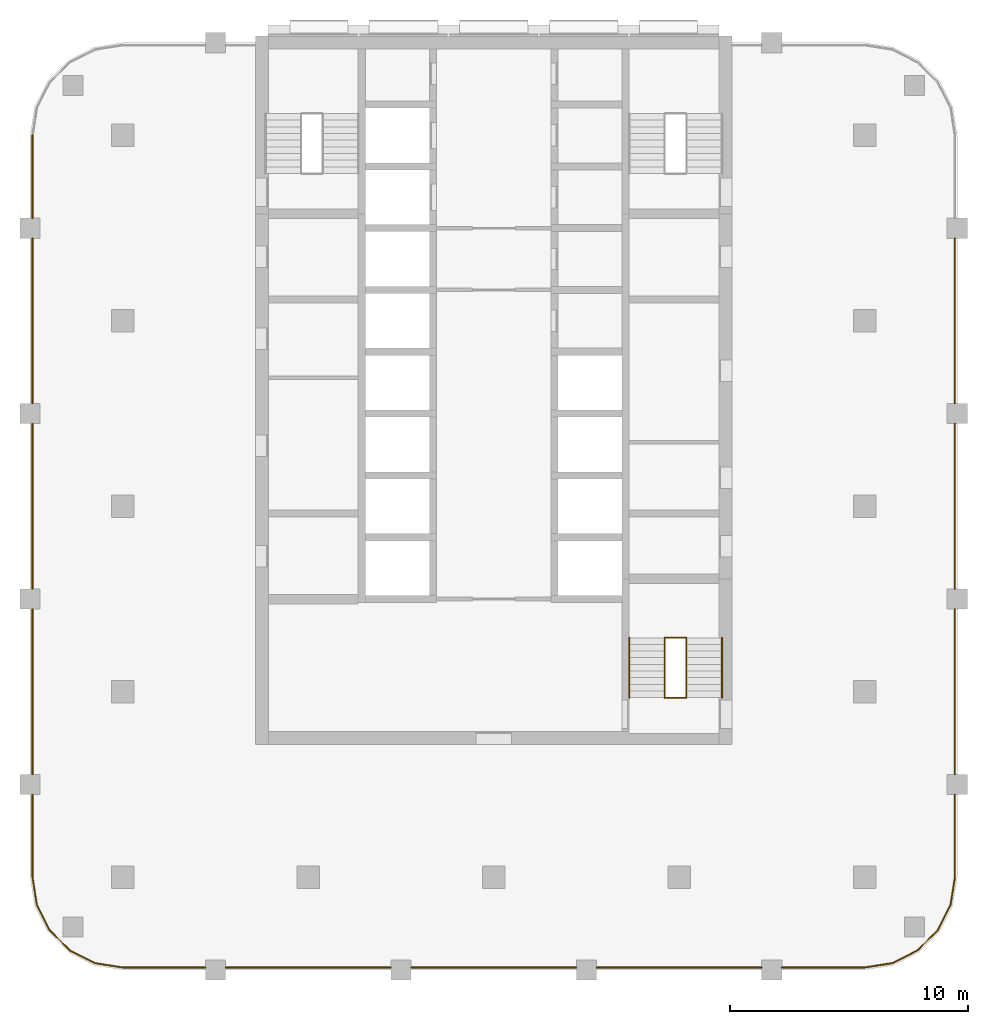
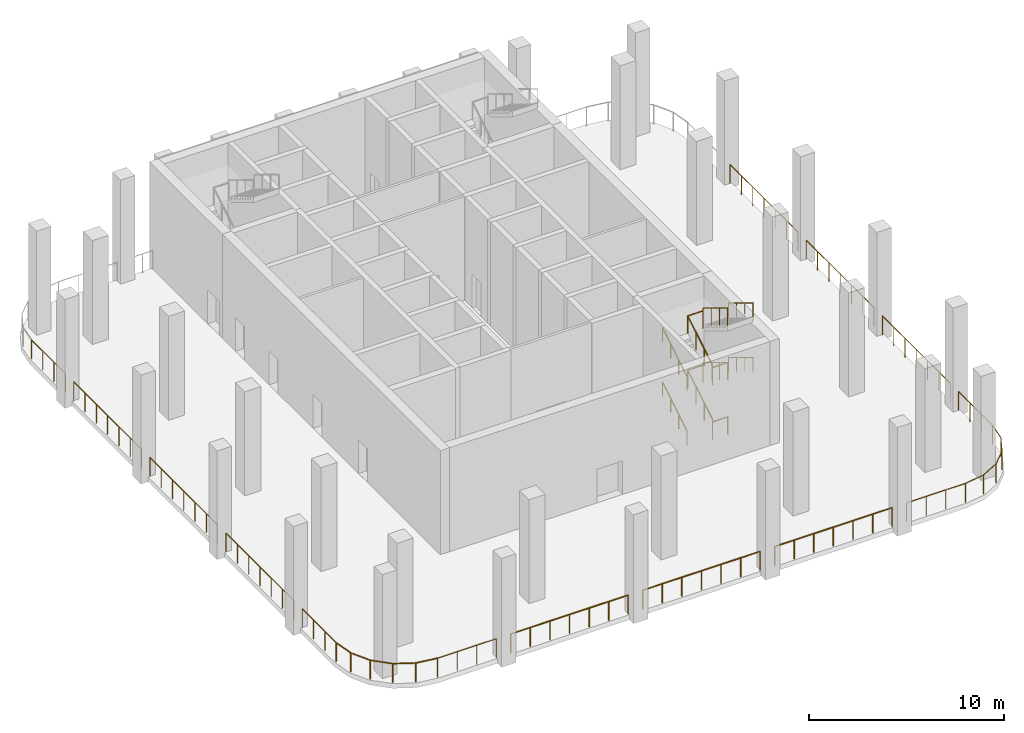
# One storey, part 8 of 10: 28 railings, 1 element without a shape of its own.
"""IFC4 building model written with IfcOpenShell, lengths in metres."""

from ifc_helpers import new_model, si_unit, direction, frame, origin, origin_2d, place, context, subcontext, project, spatial, circle, extrude, material, type_object, element, aggregate, save


model = new_model("IFC4")

# Units and contexts
model_context = context("Model", 3, precision=1e-05, world=origin(), true_north=direction((0.0, 1.0)))
body_context = subcontext(model_context, "Body", "Model", "MODEL_VIEW")
ifc_project = project(units=[si_unit("LENGTHUNIT", "METRE"), si_unit("AREAUNIT", "SQUARE_METRE"), si_unit("VOLUMEUNIT", "CUBIC_METRE"), si_unit("PLANEANGLEUNIT", "RADIAN"), si_unit("MASSUNIT", "GRAM", prefix="KILO")], contexts=[model_context])

# Site, building, storey
site_placement = place(None, origin())
site = spatial("IfcSite", under=ifc_project, at=site_placement, CompositionType="ELEMENT")
building_placement = place(site_placement, origin())
building = spatial("IfcBuilding", under=site, at=building_placement, Name="Ludao Terraces", CompositionType="ELEMENT")
storey_placement = place(building_placement, frame((0.0, 0.0, 116.89990234375)))
storey = spatial("IfcBuildingStorey", under=building, at=storey_placement, Name="L32", CompositionType="ELEMENT", Elevation=116.89990234375)

# Railings
ifc_material_1 = material(Name="Steel Q235", Category="steel")
railing_type_1 = type_object("IfcRailingType", Name="ENV Open-edge guard 1200", PredefinedType="GUARDRAIL", material=ifc_material_1)
railing_1_placement = place(storey_placement, frame((69.39990234375, 45.60009765625, 0.0)))
element("IfcRailing", 1, at=railing_1_placement, inside=storey, type_object=railing_type_1, Name="Guard L32 S1", PredefinedType="GUARDRAIL", context=body_context, shape_type="SweptSolid", body=[
    extrude(circle(Radius=0.02392578125, at=origin_2d()), frame((0.0, 0.0, 1.17578125), z_axis=(1.0, 0.0, 0.0), x_axis=(0.0, 1.0, 0.0)), (0.0, 0.0, 1.0), 3.47509765625),
    extrude(circle(Radius=0.02099609375, at=origin_2d()), origin(), (0.0, 0.0, 1.0), 1.15185546875),
    extrude(circle(Radius=0.02099609375, at=origin_2d()), frame((1.158447265625, 0.0, 0.0)), (0.0, 0.0, 1.0), 1.15185546875),
    extrude(circle(Radius=0.02099609375, at=origin_2d()), frame((2.316650390625, 0.0, 0.0)), (0.0, 0.0, 1.0), 1.15185546875),
    extrude(circle(Radius=0.02099609375, at=origin_2d()), frame((3.47509765625, 0.0, 0.0)), (0.0, 0.0, 1.0), 1.15185546875),
])
railing_2_placement = place(storey_placement, frame((73.72509765625, 45.60009765625, 0.0)))
element("IfcRailing", 2, at=railing_2_placement, inside=storey, type_object=railing_type_1, Name="Guard L32 S2", PredefinedType="GUARDRAIL", context=body_context, shape_type="SweptSolid", body=[
    extrude(circle(Radius=0.02392578125, at=origin_2d()), frame((0.0, 0.0, 1.17578125), z_axis=(1.0, 0.0, 0.0), x_axis=(0.0, 1.0, 0.0)), (0.0, 0.0, 1.0), 6.949951171875),
    extrude(circle(Radius=0.02099609375, at=origin_2d()), origin(), (0.0, 0.0, 1.0), 1.15185546875),
    extrude(circle(Radius=0.02099609375, at=origin_2d()), frame((1.158203125, 0.0, 0.0)), (0.0, 0.0, 1.0), 1.15185546875),
    extrude(circle(Radius=0.02099609375, at=origin_2d()), frame((2.316650390625, 0.0, 0.0)), (0.0, 0.0, 1.0), 1.15185546875),
    extrude(circle(Radius=0.02099609375, at=origin_2d()), frame((3.47509765625, 0.0, 0.0)), (0.0, 0.0, 1.0), 1.15185546875),
    extrude(circle(Radius=0.02099609375, at=origin_2d()), frame((4.63330078125, 0.0, 0.0)), (0.0, 0.0, 1.0), 1.15185546875),
    extrude(circle(Radius=0.02099609375, at=origin_2d()), frame((5.79150390625, 0.0, 0.0)), (0.0, 0.0, 1.0), 1.15185546875),
    extrude(circle(Radius=0.02099609375, at=origin_2d()), frame((6.949951171875, 0.0, 0.0)), (0.0, 0.0, 1.0), 1.15185546875),
])
railing_3_placement = place(storey_placement, frame((81.52490234375, 45.60009765625, 0.0)))
element("IfcRailing", 3, at=railing_3_placement, inside=storey, type_object=railing_type_1, Name="Guard L32 S3", PredefinedType="GUARDRAIL", context=body_context, shape_type="SweptSolid", body=[
    extrude(circle(Radius=0.02392578125, at=origin_2d()), frame((0.0, 0.0, 1.17578125), z_axis=(1.0, 0.0, 0.0), x_axis=(0.0, 1.0, 0.0)), (0.0, 0.0, 1.0), 6.9501953125),
    extrude(circle(Radius=0.02099609375, at=origin_2d()), origin(), (0.0, 0.0, 1.0), 1.15185546875),
    extrude(circle(Radius=0.02099609375, at=origin_2d()), frame((1.158447265625, 0.0, 0.0)), (0.0, 0.0, 1.0), 1.15185546875),
    extrude(circle(Radius=0.02099609375, at=origin_2d()), frame((2.316650390625, 0.0, 0.0)), (0.0, 0.0, 1.0), 1.15185546875),
    extrude(circle(Radius=0.02099609375, at=origin_2d()), frame((3.47509765625, 0.0, 0.0)), (0.0, 0.0, 1.0), 1.15185546875),
    extrude(circle(Radius=0.02099609375, at=origin_2d()), frame((4.633544921875, 0.0, 0.0)), (0.0, 0.0, 1.0), 1.15185546875),
    extrude(circle(Radius=0.02099609375, at=origin_2d()), frame((5.791748046875, 0.0, 0.0)), (0.0, 0.0, 1.0), 1.15185546875),
    extrude(circle(Radius=0.02099609375, at=origin_2d()), frame((6.9501953125, 0.0, 0.0)), (0.0, 0.0, 1.0), 1.15185546875),
])
railing_4_placement = place(storey_placement, frame((89.324951171875, 45.60009765625, 0.0)))
element("IfcRailing", 4, at=railing_4_placement, inside=storey, type_object=railing_type_1, Name="Guard L32 S4", PredefinedType="GUARDRAIL", context=body_context, shape_type="SweptSolid", body=[
    extrude(circle(Radius=0.02392578125, at=origin_2d()), frame((0.0, 0.0, 1.17578125), z_axis=(1.0, 0.0, 0.0), x_axis=(0.0, 1.0, 0.0)), (0.0, 0.0, 1.0), 6.949951171875),
    extrude(circle(Radius=0.02099609375, at=origin_2d()), origin(), (0.0, 0.0, 1.0), 1.15185546875),
    extrude(circle(Radius=0.02099609375, at=origin_2d()), frame((1.158203125, 0.0, 0.0)), (0.0, 0.0, 1.0), 1.15185546875),
    extrude(circle(Radius=0.02099609375, at=origin_2d()), frame((2.316650390625, 0.0, 0.0)), (0.0, 0.0, 1.0), 1.15185546875),
    extrude(circle(Radius=0.02099609375, at=origin_2d()), frame((3.47509765625, 0.0, 0.0)), (0.0, 0.0, 1.0), 1.15185546875),
    extrude(circle(Radius=0.02099609375, at=origin_2d()), frame((4.63330078125, 0.0, 0.0)), (0.0, 0.0, 1.0), 1.15185546875),
    extrude(circle(Radius=0.02099609375, at=origin_2d()), frame((5.79150390625, 0.0, 0.0)), (0.0, 0.0, 1.0), 1.15185546875),
    extrude(circle(Radius=0.02099609375, at=origin_2d()), frame((6.949951171875, 0.0, 0.0)), (0.0, 0.0, 1.0), 1.15185546875),
])
railing_5_placement = place(storey_placement, frame((97.125, 45.60009765625, 0.0)))
element("IfcRailing", 5, at=railing_5_placement, inside=storey, type_object=railing_type_1, Name="Guard L32 S5", PredefinedType="GUARDRAIL", context=body_context, shape_type="SweptSolid", body=[
    extrude(circle(Radius=0.02392578125, at=origin_2d()), frame((0.0, 0.0, 1.17578125), z_axis=(1.0, 0.0, 0.0), x_axis=(0.0, 1.0, 0.0)), (0.0, 0.0, 1.0), 3.47509765625),
    extrude(circle(Radius=0.02099609375, at=origin_2d()), origin(), (0.0, 0.0, 1.0), 1.15185546875),
    extrude(circle(Radius=0.02099609375, at=origin_2d()), frame((1.158447265625, 0.0, 0.0)), (0.0, 0.0, 1.0), 1.15185546875),
    extrude(circle(Radius=0.02099609375, at=origin_2d()), frame((2.316650390625, 0.0, 0.0)), (0.0, 0.0, 1.0), 1.15185546875),
    extrude(circle(Radius=0.02099609375, at=origin_2d()), frame((3.47509765625, 0.0, 0.0)), (0.0, 0.0, 1.0), 1.15185546875),
])
railing_6_placement = place(storey_placement, frame((104.39990234375, 49.39990234375, 0.0)))
element("IfcRailing", 6, at=railing_6_placement, inside=storey, type_object=railing_type_1, Name="Guard L32 E1", PredefinedType="GUARDRAIL", context=body_context, shape_type="SweptSolid", body=[
    extrude(circle(Radius=0.02392578125, at=origin_2d()), frame((0.0, 0.0, 1.17578125), z_axis=(0.0, 1.0, 0.0), x_axis=(-1.0, 0.0, 0.0)), (0.0, 0.0, 1.0), 3.47509765625),
    extrude(circle(Radius=0.02099609375, at=origin_2d()), origin(), (0.0, 0.0, 1.0), 1.15185546875),
    extrude(circle(Radius=0.02099609375, at=origin_2d()), frame((0.0, 1.158447265625, 0.0)), (0.0, 0.0, 1.0), 1.15185546875),
    extrude(circle(Radius=0.02099609375, at=origin_2d()), frame((0.0, 2.316650390625, 0.0)), (0.0, 0.0, 1.0), 1.15185546875),
    extrude(circle(Radius=0.02099609375, at=origin_2d()), frame((0.0, 3.47509765625, 0.0)), (0.0, 0.0, 1.0), 1.15185546875),
])
railing_7_placement = place(storey_placement, frame((104.39990234375, 53.72509765625, 0.0)))
element("IfcRailing", 7, at=railing_7_placement, inside=storey, type_object=railing_type_1, Name="Guard L32 E2", PredefinedType="GUARDRAIL", context=body_context, shape_type="SweptSolid", body=[
    extrude(circle(Radius=0.02392578125, at=origin_2d()), frame((0.0, 0.0, 1.17578125), z_axis=(0.0, 1.0, 0.0), x_axis=(-1.0, 0.0, 0.0)), (0.0, 0.0, 1.0), 6.949951171875),
    extrude(circle(Radius=0.02099609375, at=origin_2d()), origin(), (0.0, 0.0, 1.0), 1.15185546875),
    extrude(circle(Radius=0.02099609375, at=origin_2d()), frame((0.0, 1.158203125, 0.0)), (0.0, 0.0, 1.0), 1.15185546875),
    extrude(circle(Radius=0.02099609375, at=origin_2d()), frame((0.0, 2.316650390625, 0.0)), (0.0, 0.0, 1.0), 1.15185546875),
    extrude(circle(Radius=0.02099609375, at=origin_2d()), frame((0.0, 3.47509765625, 0.0)), (0.0, 0.0, 1.0), 1.15185546875),
    extrude(circle(Radius=0.02099609375, at=origin_2d()), frame((0.0, 4.63330078125, 0.0)), (0.0, 0.0, 1.0), 1.15185546875),
    extrude(circle(Radius=0.02099609375, at=origin_2d()), frame((0.0, 5.79150390625, 0.0)), (0.0, 0.0, 1.0), 1.15185546875),
    extrude(circle(Radius=0.02099609375, at=origin_2d()), frame((0.0, 6.949951171875, 0.0)), (0.0, 0.0, 1.0), 1.15185546875),
])
railing_8_placement = place(storey_placement, frame((104.39990234375, 61.52490234375, 0.0)))
element("IfcRailing", 8, at=railing_8_placement, inside=storey, type_object=railing_type_1, Name="Guard L32 E3", PredefinedType="GUARDRAIL", context=body_context, shape_type="SweptSolid", body=[
    extrude(circle(Radius=0.02392578125, at=origin_2d()), frame((0.0, 0.0, 1.17578125), z_axis=(0.0, 1.0, 0.0), x_axis=(-1.0, 0.0, 0.0)), (0.0, 0.0, 1.0), 6.9501953125),
    extrude(circle(Radius=0.02099609375, at=origin_2d()), origin(), (0.0, 0.0, 1.0), 1.15185546875),
    extrude(circle(Radius=0.02099609375, at=origin_2d()), frame((0.0, 1.158447265625, 0.0)), (0.0, 0.0, 1.0), 1.15185546875),
    extrude(circle(Radius=0.02099609375, at=origin_2d()), frame((0.0, 2.316650390625, 0.0)), (0.0, 0.0, 1.0), 1.15185546875),
    extrude(circle(Radius=0.02099609375, at=origin_2d()), frame((0.0, 3.47509765625, 0.0)), (0.0, 0.0, 1.0), 1.15185546875),
    extrude(circle(Radius=0.02099609375, at=origin_2d()), frame((0.0, 4.633544921875, 0.0)), (0.0, 0.0, 1.0), 1.15185546875),
    extrude(circle(Radius=0.02099609375, at=origin_2d()), frame((0.0, 5.791748046875, 0.0)), (0.0, 0.0, 1.0), 1.15185546875),
    extrude(circle(Radius=0.02099609375, at=origin_2d()), frame((0.0, 6.9501953125, 0.0)), (0.0, 0.0, 1.0), 1.15185546875),
])
railing_9_placement = place(storey_placement, frame((104.39990234375, 69.324951171875, 0.0)))
element("IfcRailing", 9, at=railing_9_placement, inside=storey, type_object=railing_type_1, Name="Guard L32 E4", PredefinedType="GUARDRAIL", context=body_context, shape_type="SweptSolid", body=[
    extrude(circle(Radius=0.02392578125, at=origin_2d()), frame((0.0, 0.0, 1.17578125), z_axis=(0.0, 1.0, 0.0), x_axis=(-1.0, 0.0, 0.0)), (0.0, 0.0, 1.0), 6.949951171875),
    extrude(circle(Radius=0.02099609375, at=origin_2d()), origin(), (0.0, 0.0, 1.0), 1.15185546875),
    extrude(circle(Radius=0.02099609375, at=origin_2d()), frame((0.0, 1.158203125, 0.0)), (0.0, 0.0, 1.0), 1.15185546875),
    extrude(circle(Radius=0.02099609375, at=origin_2d()), frame((0.0, 2.316650390625, 0.0)), (0.0, 0.0, 1.0), 1.15185546875),
    extrude(circle(Radius=0.02099609375, at=origin_2d()), frame((0.0, 3.47509765625, 0.0)), (0.0, 0.0, 1.0), 1.15185546875),
    extrude(circle(Radius=0.02099609375, at=origin_2d()), frame((0.0, 4.63330078125, 0.0)), (0.0, 0.0, 1.0), 1.15185546875),
    extrude(circle(Radius=0.02099609375, at=origin_2d()), frame((0.0, 5.79150390625, 0.0)), (0.0, 0.0, 1.0), 1.15185546875),
    extrude(circle(Radius=0.02099609375, at=origin_2d()), frame((0.0, 6.949951171875, 0.0)), (0.0, 0.0, 1.0), 1.15185546875),
])
railing_10_placement = place(storey_placement, frame((65.60009765625, 49.39990234375, 0.0)))
element("IfcRailing", 10, at=railing_10_placement, inside=storey, type_object=railing_type_1, Name="Guard L32 W1", PredefinedType="GUARDRAIL", context=body_context, shape_type="SweptSolid", body=[
    extrude(circle(Radius=0.02392578125, at=origin_2d()), frame((0.0, 0.0, 1.17578125), z_axis=(0.0, 1.0, 0.0), x_axis=(-1.0, 0.0, 0.0)), (0.0, 0.0, 1.0), 3.47509765625),
    extrude(circle(Radius=0.02099609375, at=origin_2d()), origin(), (0.0, 0.0, 1.0), 1.15185546875),
    extrude(circle(Radius=0.02099609375, at=origin_2d()), frame((0.0, 1.158447265625, 0.0)), (0.0, 0.0, 1.0), 1.15185546875),
    extrude(circle(Radius=0.02099609375, at=origin_2d()), frame((0.0, 2.316650390625, 0.0)), (0.0, 0.0, 1.0), 1.15185546875),
    extrude(circle(Radius=0.02099609375, at=origin_2d()), frame((0.0, 3.47509765625, 0.0)), (0.0, 0.0, 1.0), 1.15185546875),
])
railing_11_placement = place(storey_placement, frame((65.60009765625, 53.72509765625, 0.0)))
element("IfcRailing", 11, at=railing_11_placement, inside=storey, type_object=railing_type_1, Name="Guard L32 W2", PredefinedType="GUARDRAIL", context=body_context, shape_type="SweptSolid", body=[
    extrude(circle(Radius=0.02392578125, at=origin_2d()), frame((0.0, 0.0, 1.17578125), z_axis=(0.0, 1.0, 0.0), x_axis=(-1.0, 0.0, 0.0)), (0.0, 0.0, 1.0), 6.949951171875),
    extrude(circle(Radius=0.02099609375, at=origin_2d()), origin(), (0.0, 0.0, 1.0), 1.15185546875),
    extrude(circle(Radius=0.02099609375, at=origin_2d()), frame((0.0, 1.158203125, 0.0)), (0.0, 0.0, 1.0), 1.15185546875),
    extrude(circle(Radius=0.02099609375, at=origin_2d()), frame((0.0, 2.316650390625, 0.0)), (0.0, 0.0, 1.0), 1.15185546875),
    extrude(circle(Radius=0.02099609375, at=origin_2d()), frame((0.0, 3.47509765625, 0.0)), (0.0, 0.0, 1.0), 1.15185546875),
    extrude(circle(Radius=0.02099609375, at=origin_2d()), frame((0.0, 4.63330078125, 0.0)), (0.0, 0.0, 1.0), 1.15185546875),
    extrude(circle(Radius=0.02099609375, at=origin_2d()), frame((0.0, 5.79150390625, 0.0)), (0.0, 0.0, 1.0), 1.15185546875),
    extrude(circle(Radius=0.02099609375, at=origin_2d()), frame((0.0, 6.949951171875, 0.0)), (0.0, 0.0, 1.0), 1.15185546875),
])
railing_12_placement = place(storey_placement, frame((65.60009765625, 61.52490234375, 0.0)))
element("IfcRailing", 12, at=railing_12_placement, inside=storey, type_object=railing_type_1, Name="Guard L32 W3", PredefinedType="GUARDRAIL", context=body_context, shape_type="SweptSolid", body=[
    extrude(circle(Radius=0.02392578125, at=origin_2d()), frame((0.0, 0.0, 1.17578125), z_axis=(0.0, 1.0, 0.0), x_axis=(-1.0, 0.0, 0.0)), (0.0, 0.0, 1.0), 6.9501953125),
    extrude(circle(Radius=0.02099609375, at=origin_2d()), origin(), (0.0, 0.0, 1.0), 1.15185546875),
    extrude(circle(Radius=0.02099609375, at=origin_2d()), frame((0.0, 1.158447265625, 0.0)), (0.0, 0.0, 1.0), 1.15185546875),
    extrude(circle(Radius=0.02099609375, at=origin_2d()), frame((0.0, 2.316650390625, 0.0)), (0.0, 0.0, 1.0), 1.15185546875),
    extrude(circle(Radius=0.02099609375, at=origin_2d()), frame((0.0, 3.47509765625, 0.0)), (0.0, 0.0, 1.0), 1.15185546875),
    extrude(circle(Radius=0.02099609375, at=origin_2d()), frame((0.0, 4.633544921875, 0.0)), (0.0, 0.0, 1.0), 1.15185546875),
    extrude(circle(Radius=0.02099609375, at=origin_2d()), frame((0.0, 5.791748046875, 0.0)), (0.0, 0.0, 1.0), 1.15185546875),
    extrude(circle(Radius=0.02099609375, at=origin_2d()), frame((0.0, 6.9501953125, 0.0)), (0.0, 0.0, 1.0), 1.15185546875),
])
railing_13_placement = place(storey_placement, frame((65.60009765625, 69.324951171875, 0.0)))
element("IfcRailing", 13, at=railing_13_placement, inside=storey, type_object=railing_type_1, Name="Guard L32 W4", PredefinedType="GUARDRAIL", context=body_context, shape_type="SweptSolid", body=[
    extrude(circle(Radius=0.02392578125, at=origin_2d()), frame((0.0, 0.0, 1.17578125), z_axis=(0.0, 1.0, 0.0), x_axis=(-1.0, 0.0, 0.0)), (0.0, 0.0, 1.0), 6.949951171875),
    extrude(circle(Radius=0.02099609375, at=origin_2d()), origin(), (0.0, 0.0, 1.0), 1.15185546875),
    extrude(circle(Radius=0.02099609375, at=origin_2d()), frame((0.0, 1.158203125, 0.0)), (0.0, 0.0, 1.0), 1.15185546875),
    extrude(circle(Radius=0.02099609375, at=origin_2d()), frame((0.0, 2.316650390625, 0.0)), (0.0, 0.0, 1.0), 1.15185546875),
    extrude(circle(Radius=0.02099609375, at=origin_2d()), frame((0.0, 3.47509765625, 0.0)), (0.0, 0.0, 1.0), 1.15185546875),
    extrude(circle(Radius=0.02099609375, at=origin_2d()), frame((0.0, 4.63330078125, 0.0)), (0.0, 0.0, 1.0), 1.15185546875),
    extrude(circle(Radius=0.02099609375, at=origin_2d()), frame((0.0, 5.79150390625, 0.0)), (0.0, 0.0, 1.0), 1.15185546875),
    extrude(circle(Radius=0.02099609375, at=origin_2d()), frame((0.0, 6.949951171875, 0.0)), (0.0, 0.0, 1.0), 1.15185546875),
])
railing_14_placement = place(storey_placement, frame((65.60009765625, 77.125, 0.0)))
element("IfcRailing", 14, at=railing_14_placement, inside=storey, type_object=railing_type_1, Name="Guard L32 W5", PredefinedType="GUARDRAIL", context=body_context, shape_type="SweptSolid", body=[
    extrude(circle(Radius=0.02392578125, at=origin_2d()), frame((0.0, 0.0, 1.17578125), z_axis=(0.0, 1.0, 0.0), x_axis=(-1.0, 0.0, 0.0)), (0.0, 0.0, 1.0), 3.47509765625),
    extrude(circle(Radius=0.02099609375, at=origin_2d()), origin(), (0.0, 0.0, 1.0), 1.15185546875),
    extrude(circle(Radius=0.02099609375, at=origin_2d()), frame((0.0, 1.158447265625, 0.0)), (0.0, 0.0, 1.0), 1.15185546875),
    extrude(circle(Radius=0.02099609375, at=origin_2d()), frame((0.0, 2.316650390625, 0.0)), (0.0, 0.0, 1.0), 1.15185546875),
    extrude(circle(Radius=0.02099609375, at=origin_2d()), frame((0.0, 3.47509765625, 0.0)), (0.0, 0.0, 1.0), 1.15185546875),
])
railing_15_placement = place(storey_placement, frame((100.60009765625, 45.60009765625, 0.0)))
element("IfcRailing", 15, at=railing_15_placement, inside=storey, type_object=railing_type_1, Name="Guard L32 SE", PredefinedType="GUARDRAIL", context=body_context, shape_type="SweptSolid", body=[
    extrude(circle(Radius=0.02392578125, at=origin_2d()), frame((0.0, 0.0, 1.17578125), z_axis=(0.987709617879, 0.156300066377, 0.0), x_axis=(-0.156300066377, 0.987709617879, 0.0)), (0.0, 0.0, 1.0), 1.188720703125),
    extrude(circle(Radius=0.02392578125, at=origin_2d()), frame((1.174072265625, 0.185791015625, 1.17578125), z_axis=(0.890992479772, 0.454018062405, 0.0), x_axis=(-0.454018062405, 0.890992479772, 0.0)), (0.0, 0.0, 1.0), 1.18896484375),
    extrude(circle(Radius=0.02392578125, at=origin_2d()), frame((2.2333984375, 0.7255859375, 1.17578125), z_axis=(0.707106781187, 0.707106781187, 0.0), x_axis=(-0.707106781187, 0.707106781187, 0.0)), (0.0, 0.0, 1.0), 1.189208984375),
    extrude(circle(Radius=0.02392578125, at=origin_2d()), frame((3.07421875, 1.56640625, 1.17578125), z_axis=(0.454018062405, 0.890992479772, 0.0), x_axis=(-0.890992479772, 0.454018062405, 0.0)), (0.0, 0.0, 1.0), 1.18896484375),
    extrude(circle(Radius=0.02392578125, at=origin_2d()), frame((3.614013671875, 2.625732421875, 1.17578125), z_axis=(0.156300066377, 0.987709617879, 0.0), x_axis=(-0.987709617879, 0.156300066377, 0.0)), (0.0, 0.0, 1.0), 1.188720703125),
    extrude(circle(Radius=0.02099609375, at=origin_2d()), origin(), (0.0, 0.0, 1.0), 1.15185546875),
    extrude(circle(Radius=0.02099609375, at=origin_2d()), frame((1.174072265625, 0.185791015625, 0.0)), (0.0, 0.0, 1.0), 1.15185546875),
    extrude(circle(Radius=0.02099609375, at=origin_2d()), frame((2.2333984375, 0.7255859375, 0.0)), (0.0, 0.0, 1.0), 1.15185546875),
    extrude(circle(Radius=0.02099609375, at=origin_2d()), frame((3.07421875, 1.56640625, 0.0)), (0.0, 0.0, 1.0), 1.15185546875),
    extrude(circle(Radius=0.02099609375, at=origin_2d()), frame((3.614013671875, 2.625732421875, 0.0)), (0.0, 0.0, 1.0), 1.15185546875),
    extrude(circle(Radius=0.02099609375, at=origin_2d()), frame((3.7998046875, 3.7998046875, 0.0)), (0.0, 0.0, 1.0), 1.15185546875),
])
railing_16_placement = place(storey_placement, frame((65.60009765625, 49.39990234375, 0.0)))
element("IfcRailing", 16, at=railing_16_placement, inside=storey, type_object=railing_type_1, Name="Guard L32 SW", PredefinedType="GUARDRAIL", context=body_context, shape_type="SweptSolid", body=[
    extrude(circle(Radius=0.02392578125, at=origin_2d()), frame((0.0, 0.0, 1.17578125), z_axis=(0.156300066377, -0.987709617879, 0.0), x_axis=(0.987709617879, 0.156300066377, 0.0)), (0.0, 0.0, 1.0), 1.188720703125),
    extrude(circle(Radius=0.02392578125, at=origin_2d()), frame((0.185791015625, -1.174072265625, 1.17578125), z_axis=(0.454018062405, -0.890992479772, 0.0), x_axis=(0.890992479772, 0.454018062405, 0.0)), (0.0, 0.0, 1.0), 1.18896484375),
    extrude(circle(Radius=0.02392578125, at=origin_2d()), frame((0.7255859375, -2.2333984375, 1.17578125), z_axis=(0.707106781187, -0.707106781187, 0.0), x_axis=(0.707106781187, 0.707106781187, 0.0)), (0.0, 0.0, 1.0), 1.189208984375),
    extrude(circle(Radius=0.02392578125, at=origin_2d()), frame((1.56640625, -3.07421875, 1.17578125), z_axis=(0.890992479772, -0.454018062405, 0.0), x_axis=(0.454018062405, 0.890992479772, 0.0)), (0.0, 0.0, 1.0), 1.18896484375),
    extrude(circle(Radius=0.02392578125, at=origin_2d()), frame((2.625732421875, -3.614013671875, 1.17578125), z_axis=(0.987709617879, -0.156300066377, 0.0), x_axis=(0.156300066377, 0.987709617879, 0.0)), (0.0, 0.0, 1.0), 1.188720703125),
    extrude(circle(Radius=0.02099609375, at=origin_2d()), origin(), (0.0, 0.0, 1.0), 1.15185546875),
    extrude(circle(Radius=0.02099609375, at=origin_2d()), frame((0.185791015625, -1.174072265625, 0.0)), (0.0, 0.0, 1.0), 1.15185546875),
    extrude(circle(Radius=0.02099609375, at=origin_2d()), frame((0.7255859375, -2.2333984375, 0.0)), (0.0, 0.0, 1.0), 1.15185546875),
    extrude(circle(Radius=0.02099609375, at=origin_2d()), frame((1.56640625, -3.07421875, 0.0)), (0.0, 0.0, 1.0), 1.15185546875),
    extrude(circle(Radius=0.02099609375, at=origin_2d()), frame((2.625732421875, -3.614013671875, 0.0)), (0.0, 0.0, 1.0), 1.15185546875),
    extrude(circle(Radius=0.02099609375, at=origin_2d()), frame((3.7998046875, -3.7998046875, 0.0)), (0.0, 0.0, 1.0), 1.15185546875),
])

# Stair, railings
ifc_material_2 = material(Name="Concrete C40", Category="concrete")
stair_type = type_object("IfcStairType", Name="INT Stair", PredefinedType="HALF_TURN_STAIR", material=ifc_material_2)
stair_placement = place(storey_placement, origin())
stair = element("IfcStair", 17, at=stair_placement, inside=storey, type_object=stair_type, Name="EXIT STAIR 3", PredefinedType="HALF_TURN_STAIR")
ifc_material_3 = material(Name="Stainless steel 304", Category="steel")
railing_type_2 = type_object("IfcRailingType", Name="INT Stair guard 1100", PredefinedType="GUARDRAIL", material=ifc_material_3)
railing_17_placement = place(storey_placement, frame((92.199951171875, 56.949951171875, 0.170166015625)))
railing_17 = element("IfcRailing", 18, at=railing_17_placement, type_object=railing_type_2, Name="ST-L32-S3-R1G", PredefinedType="GUARDRAIL", context=body_context, shape_type="SweptSolid", body=[
    extrude(circle(Radius=0.02392578125, at=origin_2d()), frame((0.0, 0.0, 1.076171875), z_axis=(0.0, 0.85478489116, 0.518982456201), x_axis=(-1.0, 0.0, 0.0)), (0.0, 0.0, 1.0), 2.9482421875),
    extrude(circle(Radius=0.02099609375, at=origin_2d()), origin(), (0.0, 0.0, 1.0), 1.052001953125),
    extrude(circle(Radius=0.02099609375, at=origin_2d()), frame((0.0, 0.840087890625, 0.510009765625)), (0.0, 0.0, 1.0), 1.052001953125),
    extrude(circle(Radius=0.02099609375, at=origin_2d()), frame((0.0, 1.679931640625, 1.02001953125)), (0.0, 0.0, 1.0), 1.052001953125),
    extrude(circle(Radius=0.02099609375, at=origin_2d()), frame((0.0, 2.52001953125, 1.530029296875)), (0.0, 0.0, 1.0), 1.052001953125),
])
railing_18_placement = place(storey_placement, frame((93.10009765625, 59.469970703125, 1.8701171875)))
railing_18 = element("IfcRailing", 19, at=railing_18_placement, type_object=railing_type_2, Name="ST-L32-S3-R2G", PredefinedType="GUARDRAIL", context=body_context, shape_type="SweptSolid", body=[
    extrude(circle(Radius=0.02392578125, at=origin_2d()), frame((0.0, 0.0, 1.076171875), z_axis=(0.0, -0.85478489116, 0.518982456201), x_axis=(1.0, 0.0, 0.0)), (0.0, 0.0, 1.0), 2.9482421875),
    extrude(circle(Radius=0.02099609375, at=origin_2d()), origin(), (0.0, 0.0, 1.0), 1.052001953125),
    extrude(circle(Radius=0.02099609375, at=origin_2d()), frame((0.0, -0.840087890625, 0.510009765625)), (0.0, 0.0, 1.0), 1.052001953125),
    extrude(circle(Radius=0.02099609375, at=origin_2d()), frame((0.0, -1.679931640625, 1.02001953125)), (0.0, 0.0, 1.0), 1.052001953125),
    extrude(circle(Radius=0.02099609375, at=origin_2d()), frame((0.0, -2.52001953125, 1.530029296875)), (0.0, 0.0, 1.0), 1.052001953125),
])
railing_19_placement = place(storey_placement, frame((92.199951171875, 56.949951171875, 3.570068359375)))
railing_19 = element("IfcRailing", 20, at=railing_19_placement, type_object=railing_type_2, Name="ST-L32-S3-R3G", PredefinedType="GUARDRAIL", context=body_context, shape_type="SweptSolid", body=[
    extrude(circle(Radius=0.02392578125, at=origin_2d()), frame((0.0, 0.0, 1.076171875), z_axis=(0.0, 0.85478489116, 0.518982456201), x_axis=(-1.0, 0.0, 0.0)), (0.0, 0.0, 1.0), 2.9482421875),
    extrude(circle(Radius=0.02099609375, at=origin_2d()), origin(), (0.0, 0.0, 1.0), 1.052001953125),
    extrude(circle(Radius=0.02099609375, at=origin_2d()), frame((0.0, 0.840087890625, 0.510009765625)), (0.0, 0.0, 1.0), 1.052001953125),
    extrude(circle(Radius=0.02099609375, at=origin_2d()), frame((0.0, 1.679931640625, 1.02001953125)), (0.0, 0.0, 1.0), 1.052001953125),
    extrude(circle(Radius=0.02099609375, at=origin_2d()), frame((0.0, 2.52001953125, 1.530029296875)), (0.0, 0.0, 1.0), 1.052001953125),
])
railing_20_placement = place(storey_placement, frame((93.10009765625, 59.469970703125, 5.27001953125)))
railing_20 = element("IfcRailing", 21, at=railing_20_placement, type_object=railing_type_2, Name="ST-L32-S3-R4G", PredefinedType="GUARDRAIL", context=body_context, shape_type="SweptSolid", body=[
    extrude(circle(Radius=0.02392578125, at=origin_2d()), frame((0.0, 0.0, 1.076171875), z_axis=(0.0, -0.85478489116, 0.518982456201), x_axis=(1.0, 0.0, 0.0)), (0.0, 0.0, 1.0), 2.9482421875),
    extrude(circle(Radius=0.02099609375, at=origin_2d()), origin(), (0.0, 0.0, 1.0), 1.052001953125),
    extrude(circle(Radius=0.02099609375, at=origin_2d()), frame((0.0, -0.840087890625, 0.510009765625)), (0.0, 0.0, 1.0), 1.052001953125),
    extrude(circle(Radius=0.02099609375, at=origin_2d()), frame((0.0, -1.679931640625, 1.02001953125)), (0.0, 0.0, 1.0), 1.052001953125),
    extrude(circle(Radius=0.02099609375, at=origin_2d()), frame((0.0, -2.52001953125, 1.530029296875)), (0.0, 0.0, 1.0), 1.052001953125),
])
railing_21_placement = place(storey_placement, frame((92.199951171875, 59.469970703125, 1.7001953125)))
railing_21 = element("IfcRailing", 22, at=railing_21_placement, type_object=railing_type_2, Name="ST-L32-S3-E1G", PredefinedType="GUARDRAIL", context=body_context, shape_type="SweptSolid", body=[
    extrude(circle(Radius=0.02392578125, at=origin_2d()), frame((0.0, 0.0, 1.076171875), z_axis=(1.0, 0.0, 0.0), x_axis=(0.0, 1.0, 0.0)), (0.0, 0.0, 1.0), 0.900146484375),
    extrude(circle(Radius=0.02099609375, at=origin_2d()), origin(), (0.0, 0.0, 1.0), 1.052001953125),
    extrude(circle(Radius=0.02099609375, at=origin_2d()), frame((0.900146484375, 0.0, 0.0)), (0.0, 0.0, 1.0), 1.052001953125),
])
railing_22_placement = place(storey_placement, frame((92.199951171875, 56.949951171875, 3.400146484375)))
railing_22 = element("IfcRailing", 23, at=railing_22_placement, type_object=railing_type_2, Name="ST-L32-S3-E2G", PredefinedType="GUARDRAIL", context=body_context, shape_type="SweptSolid", body=[
    extrude(circle(Radius=0.02392578125, at=origin_2d()), frame((0.0, 0.0, 1.076171875), z_axis=(1.0, 0.0, 0.0), x_axis=(0.0, 1.0, 0.0)), (0.0, 0.0, 1.0), 0.900146484375),
    extrude(circle(Radius=0.02099609375, at=origin_2d()), origin(), (0.0, 0.0, 1.0), 1.052001953125),
    extrude(circle(Radius=0.02099609375, at=origin_2d()), frame((0.900146484375, 0.0, 0.0)), (0.0, 0.0, 1.0), 1.052001953125),
])
railing_23_placement = place(storey_placement, frame((92.199951171875, 59.469970703125, 5.10009765625)))
railing_23 = element("IfcRailing", 24, at=railing_23_placement, type_object=railing_type_2, Name="ST-L32-S3-E3G", PredefinedType="GUARDRAIL", context=body_context, shape_type="SweptSolid", body=[
    extrude(circle(Radius=0.02392578125, at=origin_2d()), frame((0.0, 0.0, 1.076171875), z_axis=(1.0, 0.0, 0.0), x_axis=(0.0, 1.0, 0.0)), (0.0, 0.0, 1.0), 0.900146484375),
    extrude(circle(Radius=0.02099609375, at=origin_2d()), origin(), (0.0, 0.0, 1.0), 1.052001953125),
    extrude(circle(Radius=0.02099609375, at=origin_2d()), frame((0.900146484375, 0.0, 0.0)), (0.0, 0.0, 1.0), 1.052001953125),
])
railing_24_placement = place(storey_placement, frame((92.199951171875, 56.949951171875, 0.0)))
railing_24 = element("IfcRailing", 25, at=railing_24_placement, type_object=railing_type_2, Name="ST-L32-S3-E4G", PredefinedType="GUARDRAIL", context=body_context, shape_type="SweptSolid", body=[
    extrude(circle(Radius=0.02392578125, at=origin_2d()), frame((0.0, 0.0, 1.076171875), z_axis=(1.0, 0.0, 0.0), x_axis=(0.0, 1.0, 0.0)), (0.0, 0.0, 1.0), 0.900146484375),
    extrude(circle(Radius=0.02099609375, at=origin_2d()), origin(), (0.0, 0.0, 1.0), 1.052001953125),
    extrude(circle(Radius=0.02099609375, at=origin_2d()), frame((0.900146484375, 0.0, 0.0)), (0.0, 0.0, 1.0), 1.052001953125),
])
railing_type_3 = type_object("IfcRailingType", Name="INT Stair handrail 900", PredefinedType="HANDRAIL", material=ifc_material_3)
railing_25_placement = place(storey_placement, frame((90.699951171875, 56.949951171875, 0.170166015625)))
railing_25 = element("IfcRailing", 26, at=railing_25_placement, type_object=railing_type_3, Name="ST-L32-S3-R1H", PredefinedType="HANDRAIL", context=body_context, shape_type="SweptSolid", body=[
    extrude(circle(Radius=0.02392578125, at=origin_2d()), frame((0.0, 0.0, 0.8759765625), z_axis=(0.0, 0.85478489116, 0.518982456201), x_axis=(-1.0, 0.0, 0.0)), (0.0, 0.0, 1.0), 2.9482421875),
    extrude(circle(Radius=0.02099609375, at=origin_2d()), origin(), (0.0, 0.0, 1.0), 0.851806640625),
    extrude(circle(Radius=0.02099609375, at=origin_2d()), frame((0.0, 0.840087890625, 0.510009765625)), (0.0, 0.0, 1.0), 0.851806640625),
    extrude(circle(Radius=0.02099609375, at=origin_2d()), frame((0.0, 1.679931640625, 1.02001953125)), (0.0, 0.0, 1.0), 0.851806640625),
    extrude(circle(Radius=0.02099609375, at=origin_2d()), frame((0.0, 2.52001953125, 1.530029296875)), (0.0, 0.0, 1.0), 0.851806640625),
])
railing_26_placement = place(storey_placement, frame((94.60009765625, 59.469970703125, 1.8701171875)))
railing_26 = element("IfcRailing", 27, at=railing_26_placement, type_object=railing_type_3, Name="ST-L32-S3-R2H", PredefinedType="HANDRAIL", context=body_context, shape_type="SweptSolid", body=[
    extrude(circle(Radius=0.02392578125, at=origin_2d()), frame((0.0, 0.0, 0.8759765625), z_axis=(0.0, -0.85478489116, 0.518982456201), x_axis=(1.0, 0.0, 0.0)), (0.0, 0.0, 1.0), 2.9482421875),
    extrude(circle(Radius=0.02099609375, at=origin_2d()), origin(), (0.0, 0.0, 1.0), 0.851806640625),
    extrude(circle(Radius=0.02099609375, at=origin_2d()), frame((0.0, -0.840087890625, 0.510009765625)), (0.0, 0.0, 1.0), 0.851806640625),
    extrude(circle(Radius=0.02099609375, at=origin_2d()), frame((0.0, -1.679931640625, 1.02001953125)), (0.0, 0.0, 1.0), 0.851806640625),
    extrude(circle(Radius=0.02099609375, at=origin_2d()), frame((0.0, -2.52001953125, 1.530029296875)), (0.0, 0.0, 1.0), 0.851806640625),
])
railing_27_placement = place(storey_placement, frame((90.699951171875, 56.949951171875, 3.570068359375)))
railing_27 = element("IfcRailing", 28, at=railing_27_placement, type_object=railing_type_3, Name="ST-L32-S3-R3H", PredefinedType="HANDRAIL", context=body_context, shape_type="SweptSolid", body=[
    extrude(circle(Radius=0.02392578125, at=origin_2d()), frame((0.0, 0.0, 0.8759765625), z_axis=(0.0, 0.85478489116, 0.518982456201), x_axis=(-1.0, 0.0, 0.0)), (0.0, 0.0, 1.0), 2.9482421875),
    extrude(circle(Radius=0.02099609375, at=origin_2d()), origin(), (0.0, 0.0, 1.0), 0.851806640625),
    extrude(circle(Radius=0.02099609375, at=origin_2d()), frame((0.0, 0.840087890625, 0.510009765625)), (0.0, 0.0, 1.0), 0.851806640625),
    extrude(circle(Radius=0.02099609375, at=origin_2d()), frame((0.0, 1.679931640625, 1.02001953125)), (0.0, 0.0, 1.0), 0.851806640625),
    extrude(circle(Radius=0.02099609375, at=origin_2d()), frame((0.0, 2.52001953125, 1.530029296875)), (0.0, 0.0, 1.0), 0.851806640625),
])
railing_28_placement = place(storey_placement, frame((94.60009765625, 59.469970703125, 5.27001953125)))
railing_28 = element("IfcRailing", 29, at=railing_28_placement, type_object=railing_type_3, Name="ST-L32-S3-R4H", PredefinedType="HANDRAIL", context=body_context, shape_type="SweptSolid", body=[
    extrude(circle(Radius=0.02392578125, at=origin_2d()), frame((0.0, 0.0, 0.8759765625), z_axis=(0.0, -0.85478489116, 0.518982456201), x_axis=(1.0, 0.0, 0.0)), (0.0, 0.0, 1.0), 2.9482421875),
    extrude(circle(Radius=0.02099609375, at=origin_2d()), origin(), (0.0, 0.0, 1.0), 0.851806640625),
    extrude(circle(Radius=0.02099609375, at=origin_2d()), frame((0.0, -0.840087890625, 0.510009765625)), (0.0, 0.0, 1.0), 0.851806640625),
    extrude(circle(Radius=0.02099609375, at=origin_2d()), frame((0.0, -1.679931640625, 1.02001953125)), (0.0, 0.0, 1.0), 0.851806640625),
    extrude(circle(Radius=0.02099609375, at=origin_2d()), frame((0.0, -2.52001953125, 1.530029296875)), (0.0, 0.0, 1.0), 0.851806640625),
])
aggregate(stair, [railing_17, railing_25, railing_18, railing_26, railing_19, railing_27, railing_20, railing_28, railing_21, railing_22, railing_23, railing_24])

save(model, "model.ifc")
